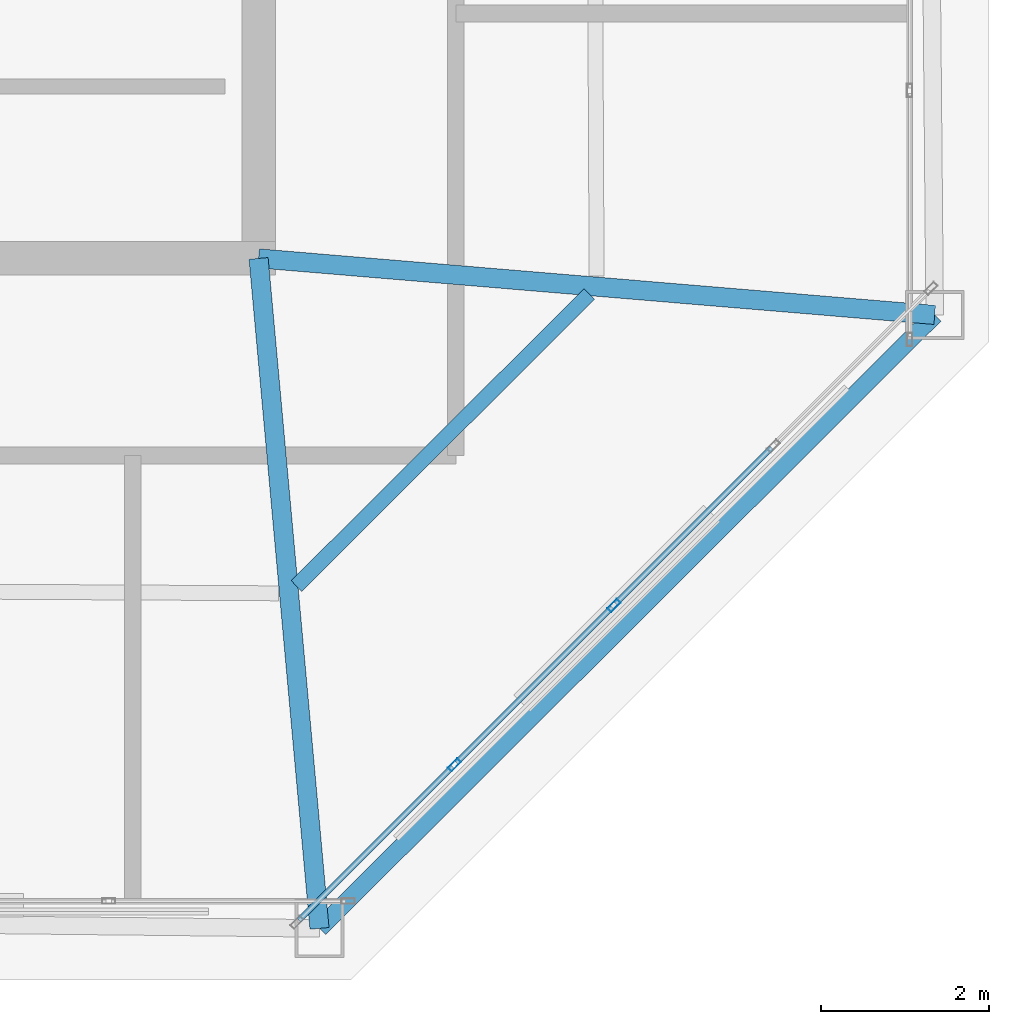
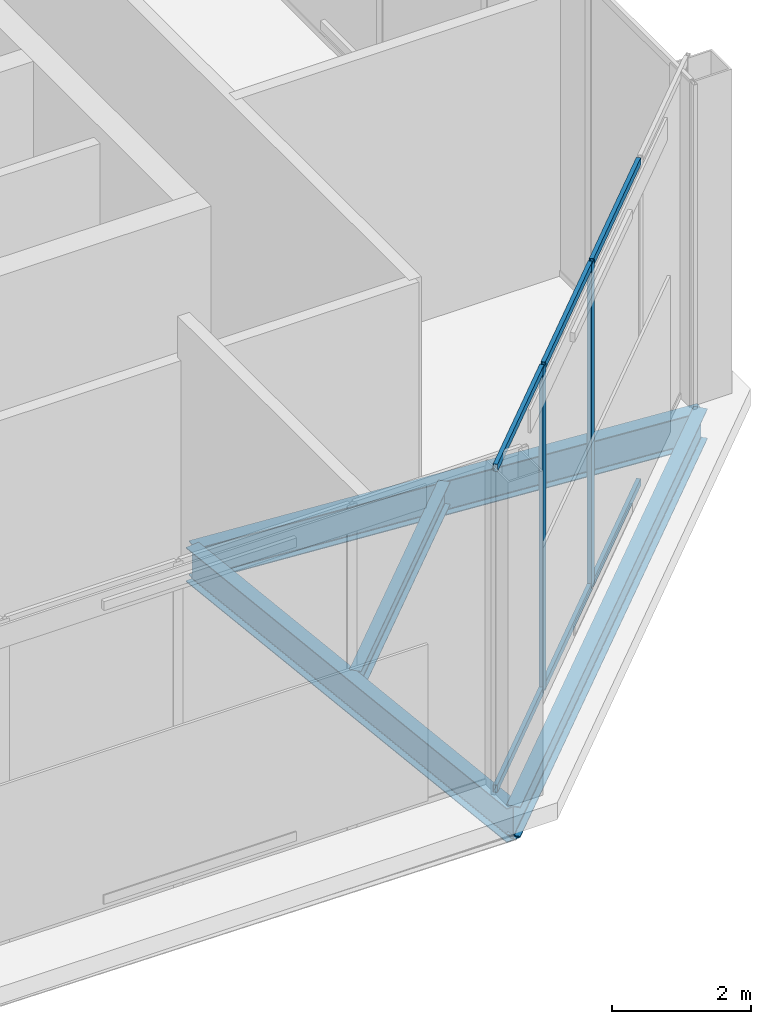
# One storey, part 6 of 20: 8 members, 4 beams, 1 element without a shape of its own.
"""IFC4 building model written with IfcOpenShell, lengths in metres."""

from ifc_helpers import new_model, si_unit, direction, frame, origin, origin_2d, place, context, subcontext, project, spatial, hollow_rectangle, i_section, extrude, material, layer, layer_set, material_profile, profile_set, type_object, element, aggregate, save


model = new_model("IFC4")

# Units and contexts
model_context = context("Model", 3, precision=1e-05, world=origin(), true_north=direction((0.0, 1.0)))
body_context = subcontext(model_context, "Body", "Model", "MODEL_VIEW")
ifc_project = project(units=[si_unit("LENGTHUNIT", "METRE"), si_unit("AREAUNIT", "SQUARE_METRE"), si_unit("VOLUMEUNIT", "CUBIC_METRE"), si_unit("PLANEANGLEUNIT", "RADIAN"), si_unit("MASSUNIT", "GRAM", prefix="KILO")], contexts=[model_context])

# Site, building, storey
site_placement = place(None, origin())
site = spatial("IfcSite", under=ifc_project, at=site_placement, CompositionType="ELEMENT")
building_placement = place(site_placement, origin())
building = spatial("IfcBuilding", under=site, at=building_placement, Name="Caelvoria Tower", CompositionType="ELEMENT")
storey_placement = place(building_placement, frame((0.0, 0.0, 284.199951171875)))
storey = spatial("IfcBuildingStorey", under=building, at=storey_placement, Name="C1", CompositionType="ELEMENT", Elevation=284.199951171875)

# Curtain wall, members
ifc_material_1 = material(Name="Anodised Bronze Aluminium and Low-E Glass", Category="aluminium")
ifc_layer = layer(ifc_material_1, 0.179931640625, Name="Anodised Bronze Aluminium and Low-E Glass")
ifc_layer_set = layer_set([ifc_layer], Name="CW System 6 Slanted Crown Bronze Screen Facade - Anodised Bronze Aluminium and Low-E Glass")
curtain_wall_type = type_object("IfcCurtainWallType", Name="CW System 6 Slanted Crown Bronze Screen Facade", PredefinedType="NOTDEFINED", material=ifc_layer_set)
curtain_wall_placement = place(storey_placement, origin())
curtain_wall = element("IfcCurtainWall", 1, at=curtain_wall_placement, inside=storey, type_object=curtain_wall_type, Name="CW-06 Curtain Wall C1-E1", PredefinedType="NOTDEFINED")
ifc_material_2 = material(Name="Anodised Bronze Architectural Aluminium", Category="aluminium")
ifc_material_profile_1 = material_profile(ifc_material_2, hollow_rectangle(XDim=0.06494140625, YDim=0.159912109375, WallThickness=0.00390625, at=origin_2d()), Name="Anodised Bronze Architectural Aluminium")
ifc_profile_set_1 = profile_set([ifc_material_profile_1], Name="CW_MULL_65X160 - Anodised Bronze Architectural Aluminium")
member_type_1 = type_object("IfcMemberType", Name="Curtain Wall Mullion 65x160 Bronze Aluminium", PredefinedType="MULLION", material=ifc_profile_set_1)
member_1_placement = place(storey_placement, frame((57.335205078125, 17.964599609375, 0.0), z_axis=(0.0, 0.0, 1.0), x_axis=(-0.707106781187, 0.707106781187, 0.0)))
member_1 = element("IfcMember", 2, at=member_1_placement, type_object=member_type_1, Name="CW-06 mullion 2", PredefinedType="MULLION", context=body_context, shape_type="SweptSolid", body=[
    extrude(hollow_rectangle(XDim=0.06494140625, YDim=0.159912109375, WallThickness=0.00390625, at=origin_2d()), origin(), (0.0, 0.0, 1.0), 5.699951171875),
])
member_2_placement = place(storey_placement, frame((59.2353515625, 19.86474609375, 0.0), z_axis=(0.0, 0.0, 1.0), x_axis=(-0.707106781187, 0.707106781187, 0.0)))
member_2 = element("IfcMember", 3, at=member_2_placement, type_object=member_type_1, Name="CW-06 mullion 3", PredefinedType="MULLION", context=body_context, shape_type="SweptSolid", body=[
    extrude(hollow_rectangle(XDim=0.06494140625, YDim=0.159912109375, WallThickness=0.00390625, at=origin_2d()), origin(), (0.0, 0.0, 1.0), 5.699951171875),
])
ifc_material_profile_2 = material_profile(ifc_material_2, hollow_rectangle(XDim=0.06494140625, YDim=0.1298828125, WallThickness=0.00341796875, at=origin_2d()), Name="Anodised Bronze Architectural Aluminium")
ifc_profile_set_2 = profile_set([ifc_material_profile_2], Name="CW_TRAN_65X130 - Anodised Bronze Architectural Aluminium")
member_type_2 = type_object("IfcMemberType", Name="Curtain Wall Transom 65x130 Bronze Aluminium", PredefinedType="USERDEFINED", material=ifc_profile_set_2)
member_3_placement = place(storey_placement, frame((55.481201171875, 16.110595703125, 0.032470703125), z_axis=(0.707106781187, 0.707106781187, 0.0), x_axis=(-0.707106781187, 0.707106781187, 0.0)))
member_3 = element("IfcMember", 4, at=member_3_placement, type_object=member_type_2, Name="CW-06 transom 1.1", ObjectType="TRANSOM", PredefinedType="USERDEFINED", context=body_context, shape_type="SweptSolid", body=[
    extrude(hollow_rectangle(XDim=0.06494140625, YDim=0.1298828125, WallThickness=0.00341796875, at=origin_2d()), origin(), (0.0, 0.0, 1.0), 2.589599609375),
])
member_4_placement = place(storey_placement, frame((55.481201171875, 16.110595703125, 5.66748046875), z_axis=(0.707106781187, 0.707106781187, 0.0), x_axis=(-0.707106781187, 0.707106781187, 0.0)))
member_4 = element("IfcMember", 5, at=member_4_placement, type_object=member_type_2, Name="CW-06 transom 1.2", ObjectType="TRANSOM", PredefinedType="USERDEFINED", context=body_context, shape_type="SweptSolid", body=[
    extrude(hollow_rectangle(XDim=0.06494140625, YDim=0.1298828125, WallThickness=0.00341796875, at=origin_2d()), origin(), (0.0, 0.0, 1.0), 2.589599609375),
])
member_5_placement = place(storey_placement, frame((57.3583984375, 17.98779296875, 0.032470703125), z_axis=(0.707106781187, 0.707106781187, 0.0), x_axis=(-0.707106781187, 0.707106781187, 0.0)))
member_5 = element("IfcMember", 6, at=member_5_placement, type_object=member_type_2, Name="CW-06 transom 2.1", ObjectType="TRANSOM", PredefinedType="USERDEFINED", context=body_context, shape_type="SweptSolid", body=[
    extrude(hollow_rectangle(XDim=0.06494140625, YDim=0.1298828125, WallThickness=0.00341796875, at=origin_2d()), origin(), (0.0, 0.0, 1.0), 2.6220703125),
])
member_6_placement = place(storey_placement, frame((57.3583984375, 17.98779296875, 5.66748046875), z_axis=(0.707106781187, 0.707106781187, 0.0), x_axis=(-0.707106781187, 0.707106781187, 0.0)))
member_6 = element("IfcMember", 7, at=member_6_placement, type_object=member_type_2, Name="CW-06 transom 2.2", ObjectType="TRANSOM", PredefinedType="USERDEFINED", context=body_context, shape_type="SweptSolid", body=[
    extrude(hollow_rectangle(XDim=0.06494140625, YDim=0.1298828125, WallThickness=0.00341796875, at=origin_2d()), origin(), (0.0, 0.0, 1.0), 2.6220703125),
])
member_7_placement = place(storey_placement, frame((59.25830078125, 19.8876953125, 0.032470703125), z_axis=(0.707106781187, 0.707106781187, 0.0), x_axis=(-0.707106781187, 0.707106781187, 0.0)))
member_7 = element("IfcMember", 8, at=member_7_placement, type_object=member_type_2, Name="CW-06 transom 3.1", ObjectType="TRANSOM", PredefinedType="USERDEFINED", context=body_context, shape_type="SweptSolid", body=[
    extrude(hollow_rectangle(XDim=0.06494140625, YDim=0.1298828125, WallThickness=0.00341796875, at=origin_2d()), origin(), (0.0, 0.0, 1.0), 2.6220703125),
])
member_8_placement = place(storey_placement, frame((59.25830078125, 19.8876953125, 5.66748046875), z_axis=(0.707106781187, 0.707106781187, 0.0), x_axis=(-0.707106781187, 0.707106781187, 0.0)))
member_8 = element("IfcMember", 9, at=member_8_placement, type_object=member_type_2, Name="CW-06 transom 3.2", ObjectType="TRANSOM", PredefinedType="USERDEFINED", context=body_context, shape_type="SweptSolid", body=[
    extrude(hollow_rectangle(XDim=0.06494140625, YDim=0.1298828125, WallThickness=0.00341796875, at=origin_2d()), origin(), (0.0, 0.0, 1.0), 2.6220703125),
])
aggregate(curtain_wall, [member_1, member_2, member_3, member_4, member_5, member_6, member_7, member_8])

# Beams
ifc_material_3 = material(Name="Structural Steel ASTM A992 Gr.50", Category="steel")
ifc_material_profile_3 = material_profile(ifc_material_3, i_section(OverallWidth=0.22802734375, OverallDepth=0.60302734375, WebThickness=0.010498046875, FlangeThickness=0.014892578125, FilletRadius=0.01806640625, at=origin_2d()), Name="Structural Steel ASTM A992 Gr.50")
ifc_profile_set_3 = profile_set([ifc_material_profile_3], Name="W610X101 - Structural Steel ASTM A992 Gr.50")
beam_type_1 = type_object("IfcBeamType", Name="Primary Floor Girder W610X101", PredefinedType="BEAM", material=ifc_profile_set_3)
beam_1_placement = place(storey_placement, frame((55.0, 24.0, -0.6015625), z_axis=(0.090527509595, -0.995893955201, 0.0), x_axis=(0.995893955201, 0.090527509595, 0.0)))
element("IfcBeam", 10, at=beam_1_placement, inside=storey, type_object=beam_type_1, Name="Primary Floor Girder C1-02", PredefinedType="BEAM", context=body_context, shape_type="SweptSolid", body=[
    extrude(i_section(OverallWidth=0.22802734375, OverallDepth=0.60302734375, WebThickness=0.010498046875, FlangeThickness=0.014892578125, FilletRadius=0.01806640625, at=origin_2d()), origin(), (0.0, 0.0, 1.0), 8.017822265625),
])
beam_2_placement = place(storey_placement, frame((55.0, 24.0, -0.6015625), z_axis=(0.996524486988, -0.083300341138, 0.0), x_axis=(0.083300341138, 0.996524486988, 0.0)))
element("IfcBeam", 11, at=beam_2_placement, inside=storey, type_object=beam_type_1, Name="Primary Floor Girder C1-03", PredefinedType="BEAM", context=body_context, shape_type="SweptSolid", body=[
    extrude(i_section(OverallWidth=0.22802734375, OverallDepth=0.60302734375, WebThickness=0.010498046875, FlangeThickness=0.014892578125, FilletRadius=0.01806640625, at=origin_2d()), origin(), (0.0, 0.0, 1.0), 8.086181640625),
])
ifc_material_profile_4 = material_profile(ifc_material_3, i_section(OverallWidth=0.177978515625, OverallDepth=0.406982421875, WebThickness=0.0078125, FlangeThickness=0.0126953125, FilletRadius=0.013916015625, at=origin_2d()), Name="Structural Steel ASTM A992 Gr.50")
ifc_profile_set_4 = profile_set([ifc_material_profile_4], Name="W410X60 - Structural Steel ASTM A992 Gr.50")
beam_type_2 = type_object("IfcBeamType", Name="Secondary Floor Beam W410X60", PredefinedType="BEAM", material=ifc_profile_set_4)
beam_3_placement = place(storey_placement, frame((55.451416015625, 20.095947265625, -0.50341796875), z_axis=(0.708146533194, 0.706065498042, 0.0), x_axis=(-0.706065498042, 0.708146533194, 0.0)))
element("IfcBeam", 12, at=beam_3_placement, inside=storey, type_object=beam_type_2, Name="Secondary Floor Beam C1-02", PredefinedType="BEAM", context=body_context, shape_type="SweptSolid", body=[
    extrude(i_section(OverallWidth=0.177978515625, OverallDepth=0.406982421875, WebThickness=0.0078125, FlangeThickness=0.0126953125, FilletRadius=0.013916015625, at=origin_2d()), origin(), (0.0, 0.0, 1.0), 4.92724609375),
])
ifc_material_profile_5 = material_profile(ifc_material_3, i_section(OverallWidth=0.208984375, OverallDepth=0.532958984375, WebThickness=0.01025390625, FlangeThickness=0.015625, FilletRadius=0.01611328125, at=origin_2d()), Name="Structural Steel ASTM A992 Gr.50")
ifc_profile_set_5 = profile_set([ifc_material_profile_5], Name="W530X92 - Structural Steel ASTM A992 Gr.50")
beam_type_3 = type_object("IfcBeamType", Name="Upper Zone Spandrel W530X92", PredefinedType="BEAM", material=ifc_profile_set_5)
beam_4_placement = place(storey_placement, frame((55.725830078125, 16.01513671875, -0.56640625), z_axis=(0.708119910977, 0.706092197717, 0.0), x_axis=(-0.706092197717, 0.708119910977, 0.0)))
element("IfcBeam", 13, at=beam_4_placement, inside=storey, type_object=beam_type_3, Name="Perimeter Spandrel Girder C1-02", PredefinedType="BEAM", context=body_context, shape_type="SweptSolid", body=[
    extrude(i_section(OverallWidth=0.208984375, OverallDepth=0.532958984375, WebThickness=0.01025390625, FlangeThickness=0.015625, FilletRadius=0.01611328125, at=origin_2d()), origin(), (0.0, 0.0, 1.0), 10.3544921875),
])

save(model, "model.ifc")
